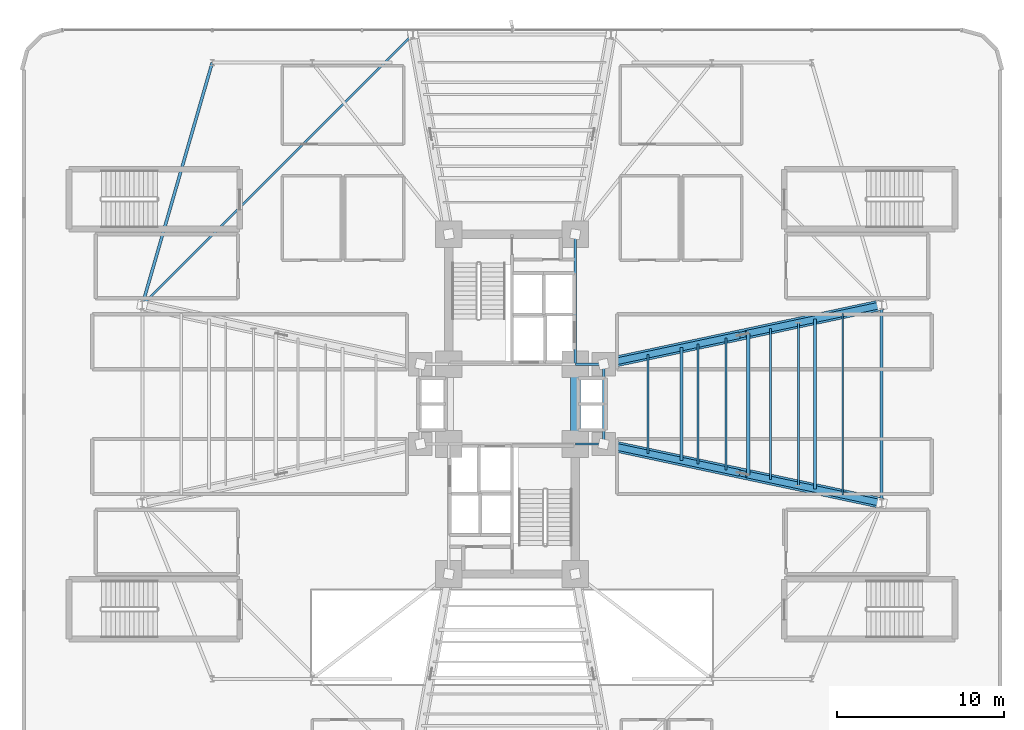
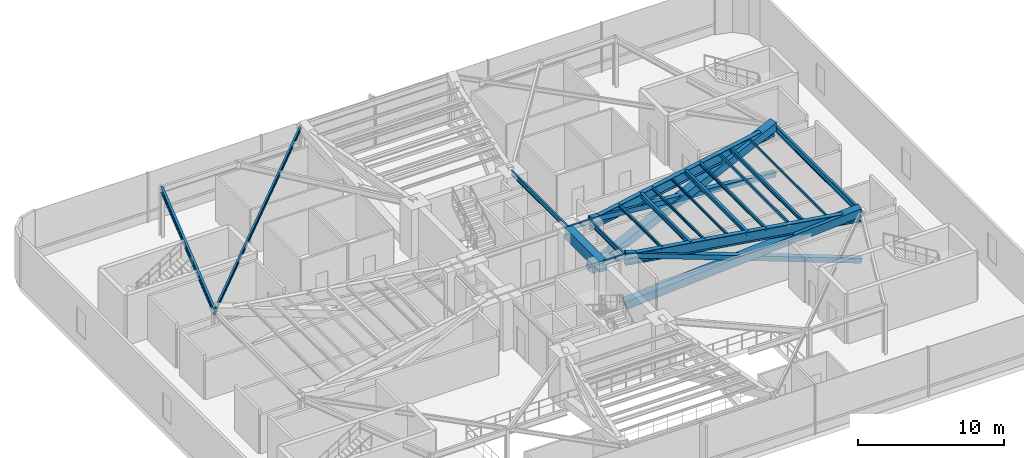
# One storey, part 12 of 32: 19 beams, 6 members.
"""IFC4 building model written with IfcOpenShell, lengths in metres."""

from ifc_helpers import new_model, si_unit, direction, frame, origin, origin_2d, place, context, subcontext, project, spatial, rectangle, hollow_rectangle, i_section, extrude, source, transform, mapped, material, material_profile, profile_set, type_object, element, save


model = new_model("IFC4")

# Units and contexts
model_context = context("Model", 3, precision=1e-05, world=origin(), true_north=direction((0.0, 1.0)))
body_context = subcontext(model_context, "Body", "Model", "MODEL_VIEW")
ifc_project = project(units=[si_unit("LENGTHUNIT", "METRE"), si_unit("AREAUNIT", "SQUARE_METRE"), si_unit("VOLUMEUNIT", "CUBIC_METRE"), si_unit("PLANEANGLEUNIT", "RADIAN"), si_unit("MASSUNIT", "GRAM", prefix="KILO")], contexts=[model_context])

# Site, building, storey
site_placement = place(None, origin())
site = spatial("IfcSite", under=ifc_project, at=site_placement, CompositionType="ELEMENT")
building_placement = place(site_placement, origin())
building = spatial("IfcBuilding", under=site, at=building_placement, Name="Sahyath Konkavel Grand Hotel", CompositionType="ELEMENT")
storey_placement = place(building_placement, frame((0.0, 0.0, 14.10009765625)))
storey = spatial("IfcBuildingStorey", under=building, at=storey_placement, Name="L03", CompositionType="ELEMENT", Elevation=14.10009765625)

# Beams
ifc_material_1 = material(Name="Concrete C70/85", Category="concrete")
ifc_material_profile_1 = material_profile(ifc_material_1, rectangle(XDim=0.60009765625, YDim=0.89990234375, at=origin_2d()), Name="RC 600x900")
ifc_profile_set_1 = profile_set([ifc_material_profile_1], Name="Concrete C70/85")
beam_type_1 = type_object("IfcBeamType", Name="BM-CB600x900", PredefinedType="LINTEL", material=ifc_profile_set_1)
shared_shape_1 = source(origin(), body_context, "Body", "SweptSolid", [
    extrude(rectangle(XDim=0.60009765625, YDim=0.89990234375, at=origin_2d()), origin(), (0.0, 0.0, 1.0), 4.7998046875),
])
beam_1_placement = place(storey_placement, frame((3.800048828125, -2.39990234375, 3.72998046875), z_axis=(0.0, 1.0, 0.0), x_axis=(-1.0, 0.0, 0.0)))
element("IfcBeam", 1, at=beam_1_placement, inside=storey, type_object=beam_type_1, Name="L03 Split-Core Coupling Beam East", PredefinedType="LINTEL", context=body_context, shape_type="MappedRepresentation", body=[
    mapped(shared_shape_1, transform((0.0, 0.0, 0.0), scale=1.0)),
])
ifc_material_2 = material(Name="Steel E350", Category="steel")
ifc_material_profile_2 = material_profile(ifc_material_2, i_section(OverallWidth=0.139892578125, OverallDepth=0.39990234375, WebThickness=0.0087890625, FlangeThickness=0.01611328125, FilletRadius=0.013916015625, at=origin_2d()), Name="ISMB 400")
ifc_profile_set_2 = profile_set([ifc_material_profile_2], Name="Steel E350")
beam_type_2 = type_object("IfcBeamType", Name="BM-ISMB400", PredefinedType="BEAM", material=ifc_profile_set_2)
shared_shape_2 = source(origin(), body_context, "Body", "SweptSolid", [
    extrude(i_section(OverallWidth=0.139892578125, OverallDepth=0.39990234375, WebThickness=0.0087890625, FlangeThickness=0.01611328125, FilletRadius=0.013916015625, at=origin_2d()), origin(), (0.0, 0.0, 1.0), 7.800048828125),
])
beam_2_placement = place(storey_placement, frame((3.800048828125, 2.39990234375, 3.97998046875), z_axis=(0.0, 1.0, 0.0), x_axis=(-1.0, 0.0, 0.0)))
element("IfcBeam", 2, at=beam_2_placement, inside=storey, type_object=beam_type_2, Name="str:bm:L03:NC-E", PredefinedType="BEAM", context=body_context, shape_type="MappedRepresentation", body=[
    mapped(shared_shape_2, transform((0.0, 0.0, 0.0), scale=1.0)),
])
shared_shape_3 = source(origin(), body_context, "Body", "SweptSolid", [
    extrude(i_section(OverallWidth=0.139892578125, OverallDepth=0.39990234375, WebThickness=0.0087890625, FlangeThickness=0.01611328125, FilletRadius=0.013916015625, at=origin_2d()), origin(), (0.0, 0.0, 1.0), 1.699951171875),
])
for number, where, z_axis, x_axis, name in (
    (3, (3.800048828125, 2.39990234375, 3.97998046875), (1.0, 0.0, 0.0), (0.0, 1.0, 0.0), "str:bm:L03:HB-NE"),
    (4, (3.800048828125, -2.39990234375, 3.97998046875), (1.0, 0.0, 0.0), (0.0, 1.0, 0.0), "str:bm:L03:HB-SE"),
):
    element("IfcBeam", number, at=place(storey_placement, frame(where, z_axis=z_axis, x_axis=x_axis)), inside=storey, type_object=beam_type_2, Name=name, PredefinedType="BEAM", context=body_context, shape_type="MappedRepresentation", body=[
        mapped(shared_shape_3, transform((0.0, 0.0, 0.0), scale=1.0)),
    ])
shared_shape_4 = source(origin(), body_context, "Body", "SweptSolid", [
    extrude(i_section(OverallWidth=0.139892578125, OverallDepth=0.39990234375, WebThickness=0.0087890625, FlangeThickness=0.01611328125, FilletRadius=0.013916015625, at=origin_2d()), origin(), (0.0, 0.0, 1.0), 4.7998046875),
])
beam_3_placement = place(storey_placement, frame((5.5, -2.39990234375, 3.97998046875), z_axis=(0.0, 1.0, 0.0), x_axis=(-1.0, 0.0, 0.0)))
element("IfcBeam", 5, at=beam_3_placement, inside=storey, type_object=beam_type_2, Name="str:bm:L03:HB-E", PredefinedType="BEAM", context=body_context, shape_type="MappedRepresentation", body=[
    mapped(shared_shape_4, transform((0.0, 0.0, 0.0), scale=1.0)),
])
ifc_material_profile_3 = material_profile(ifc_material_2, i_section(OverallWidth=0.179931640625, OverallDepth=0.5, WebThickness=0.01025390625, FlangeThickness=0.01708984375, FilletRadius=0.01708984375, at=origin_2d()), Name="ISMB 500")
ifc_profile_set_3 = profile_set([ifc_material_profile_3], Name="Steel E350")
beam_type_3 = type_object("IfcBeamType", Name="BM-ISMB500", PredefinedType="BEAM", material=ifc_profile_set_3)
shared_shape_5 = source(origin(), body_context, "Body", "SweptSolid", [
    extrude(i_section(OverallWidth=0.179931640625, OverallDepth=0.5, WebThickness=0.01025390625, FlangeThickness=0.01708984375, FilletRadius=0.01708984375, at=origin_2d()), origin(), (0.0, 0.0, 1.0), 15.14404296875),
])
beam_4_placement = place(storey_placement, frame((-18.0, 20.5, 3.929931640625), z_axis=(-0.277332657483, -0.960773957335, 0.0), x_axis=(0.960773957335, -0.277332657483, 0.0)))
element("IfcBeam", 6, at=beam_4_placement, inside=storey, type_object=beam_type_3, Name="str:bm:L03:POD34-09", PredefinedType="BEAM", context=body_context, shape_type="MappedRepresentation", body=[
    mapped(shared_shape_5, transform((0.0, 0.0, 0.0), scale=1.0)),
])
ifc_material_3 = material(Name="Steel E450", Category="steel")
ifc_material_profile_4 = material_profile(ifc_material_3, i_section(OverallWidth=0.35009765625, OverallDepth=0.89990234375, WebThickness=0.01806640625, FlangeThickness=0.031982421875, at=origin_2d()), Name="BPG 900x350")
ifc_profile_set_4 = profile_set([ifc_material_profile_4], Name="Steel E450")
beam_type_4 = type_object("IfcBeamType", Name="BM-BPG900", PredefinedType="BEAM", material=ifc_profile_set_4)
shared_shape_6 = source(origin(), body_context, "Body", "SweptSolid", [
    extrude(i_section(OverallWidth=0.35009765625, OverallDepth=0.89990234375, WebThickness=0.01806640625, FlangeThickness=0.031982421875, at=origin_2d()), origin(), (0.0, 0.0, 1.0), 17.072998046875),
])
for number, where, z_axis, x_axis, name in (
    (7, (5.5, -2.39990234375, 3.72998046875), (0.978143257225, -0.20793212437, 0.0), (0.20793212437, 0.978143257225, 0.0), "L03 Cruciform Radial Girder EA"),
    (8, (5.5, 2.39990234375, 3.72998046875), (0.978143257225, 0.20793212437, 0.0), (-0.20793212437, 0.978143257225, 0.0), "L03 Cruciform Radial Girder EB"),
):
    element("IfcBeam", number, at=place(storey_placement, frame(where, z_axis=z_axis, x_axis=x_axis)), inside=storey, type_object=beam_type_4, Name=name, PredefinedType="BEAM", context=body_context, shape_type="MappedRepresentation", body=[
        mapped(shared_shape_6, transform((0.0, 0.0, 0.0), scale=1.0)),
    ])
shared_shape_7 = source(origin(), body_context, "Body", "SweptSolid", [
    extrude(i_section(OverallWidth=0.179931640625, OverallDepth=0.5, WebThickness=0.01025390625, FlangeThickness=0.01708984375, FilletRadius=0.01708984375, at=origin_2d()), origin(), (0.0, 0.0, 1.0), 11.89990234375),
])
beam_5_placement = place(storey_placement, frame((22.199951171875, -5.949951171875, 3.929931640625), z_axis=(0.0, 1.0, 0.0), x_axis=(-1.0, 0.0, 0.0)))
element("IfcBeam", 9, at=beam_5_placement, inside=storey, type_object=beam_type_3, Name="L03 Wing Tip Edge Beam E", PredefinedType="BEAM", context=body_context, shape_type="MappedRepresentation", body=[
    mapped(shared_shape_7, transform((0.0, 0.0, 0.0), scale=1.0)),
])
ifc_material_profile_5 = material_profile(ifc_material_2, i_section(OverallWidth=0.139892578125, OverallDepth=0.35009765625, WebThickness=0.008056640625, FlangeThickness=0.01416015625, FilletRadius=0.013916015625, at=origin_2d()), Name="ISMB 350")
ifc_profile_set_5 = profile_set([ifc_material_profile_5], Name="Steel E350")
beam_type_5 = type_object("IfcBeamType", Name="BM-ISMB350", PredefinedType="BEAM", material=ifc_profile_set_5)
shared_shape_8 = source(origin(), body_context, "Body", "SweptSolid", [
    extrude(i_section(OverallWidth=0.139892578125, OverallDepth=0.35009765625, WebThickness=0.008056640625, FlangeThickness=0.01416015625, FilletRadius=0.013916015625, at=origin_2d()), origin(), (0.0, 0.0, 1.0), 22.98095703125),
])
beam_6_placement = place(storey_placement, frame((-5.949951171875, 22.199951171875, 4.0048828125), z_axis=(-0.707106781187, -0.707106781187, 0.0), x_axis=(0.707106781187, -0.707106781187, 0.0)))
element("IfcBeam", 10, at=beam_6_placement, inside=storey, type_object=beam_type_5, Name="L03 Re-Entrant Tie Beam NW", PredefinedType="BEAM", context=body_context, shape_type="MappedRepresentation", body=[
    mapped(shared_shape_8, transform((0.0, 0.0, 0.0), scale=1.0)),
])
ifc_material_profile_6 = material_profile(ifc_material_2, i_section(OverallWidth=0.199951171875, OverallDepth=0.39990234375, WebThickness=0.008544921875, FlangeThickness=0.012939453125, FilletRadius=0.014892578125, at=origin_2d()), Name="ISWB 400")
ifc_profile_set_6 = profile_set([ifc_material_profile_6], Name="Steel E350")
beam_type_6 = type_object("IfcBeamType", Name="BM-ISWB400", PredefinedType="BEAM", material=ifc_profile_set_6)
shared_shape_9 = source(origin(), body_context, "Body", "SweptSolid", [
    extrude(i_section(OverallWidth=0.199951171875, OverallDepth=0.39990234375, WebThickness=0.008544921875, FlangeThickness=0.012939453125, FilletRadius=0.014892578125, at=origin_2d()), origin(), (0.0, 0.0, 1.0), 6.7880859375),
])
beam_7_placement = place(storey_placement, frame((10.176025390625, -3.39404296875, 3.97998046875), z_axis=(0.0, 1.0, 0.0), x_axis=(-1.0, 0.0, 0.0)))
element("IfcBeam", 11, at=beam_7_placement, inside=storey, type_object=beam_type_6, Name="L03 Secondary Floor Beam E-1", PredefinedType="BEAM", context=body_context, shape_type="MappedRepresentation", body=[
    mapped(shared_shape_9, transform((0.0, 0.0, 0.0), scale=1.0)),
])
ifc_material_profile_7 = material_profile(ifc_material_2, i_section(OverallWidth=0.199951171875, OverallDepth=0.35009765625, WebThickness=0.008056640625, FlangeThickness=0.011474609375, FilletRadius=0.013916015625, at=origin_2d()), Name="ISWB 350")
ifc_profile_set_7 = profile_set([ifc_material_profile_7], Name="Steel E350")
beam_type_7 = type_object("IfcBeamType", Name="BM-ISWB350", PredefinedType="BEAM", material=ifc_profile_set_7)
shared_shape_10 = source(origin(), body_context, "Body", "SweptSolid", [
    extrude(i_section(OverallWidth=0.199951171875, OverallDepth=0.35009765625, WebThickness=0.008056640625, FlangeThickness=0.011474609375, FilletRadius=0.013916015625, at=origin_2d()), origin(), (0.0, 0.0, 1.0), 8.4921875),
])
beam_8_placement = place(storey_placement, frame((14.18408203125, -4.24609375, 4.0048828125), z_axis=(0.0, 1.0, 0.0), x_axis=(-1.0, 0.0, 0.0)))
element("IfcBeam", 12, at=beam_8_placement, inside=storey, type_object=beam_type_7, Name="L03 Secondary Floor Beam E-2", PredefinedType="BEAM", context=body_context, shape_type="MappedRepresentation", body=[
    mapped(shared_shape_10, transform((0.0, 0.0, 0.0), scale=1.0)),
])
ifc_material_profile_8 = material_profile(ifc_material_2, i_section(OverallWidth=0.1650390625, OverallDepth=0.324951171875, WebThickness=0.007080078125, FlangeThickness=0.009765625, FilletRadius=0.014892578125, at=origin_2d()), Name="ISLB 325")
ifc_profile_set_8 = profile_set([ifc_material_profile_8], Name="Steel E350")
beam_type_8 = type_object("IfcBeamType", Name="BM-ISLB325", PredefinedType="BEAM", material=ifc_profile_set_8)
shared_shape_11 = source(origin(), body_context, "Body", "SweptSolid", [
    extrude(i_section(OverallWidth=0.1650390625, OverallDepth=0.324951171875, WebThickness=0.007080078125, FlangeThickness=0.009765625, FilletRadius=0.014892578125, at=origin_2d()), origin(), (0.0, 0.0, 1.0), 10.19580078125),
])
beam_9_placement = place(storey_placement, frame((18.19189453125, -5.097900390625, 4.017333984375), z_axis=(0.0, 1.0, 0.0), x_axis=(-1.0, 0.0, 0.0)))
element("IfcBeam", 13, at=beam_9_placement, inside=storey, type_object=beam_type_8, Name="L03 Secondary Floor Beam E-3", PredefinedType="BEAM", context=body_context, shape_type="MappedRepresentation", body=[
    mapped(shared_shape_11, transform((0.0, 0.0, 0.0), scale=1.0)),
])

# Members
ifc_material_profile_9 = material_profile(ifc_material_3, hollow_rectangle(XDim=0.64990234375, YDim=0.64990234375, WallThickness=0.031982421875, at=origin_2d()), Name="BOX 650x650x32")
ifc_profile_set_9 = profile_set([ifc_material_profile_9], Name="Steel E450")
member_type_1 = type_object("IfcMemberType", Name="BR-BOX650", PredefinedType="BRACE", material=ifc_profile_set_9)
shared_shape_12 = source(origin(), body_context, "Body", "SweptSolid", [
    extrude(hollow_rectangle(XDim=0.64990234375, YDim=0.64990234375, WallThickness=0.031982421875, at=origin_2d()), origin(), (0.0, 0.0, 1.0), 17.572509765625),
])
for number, where, z_axis, x_axis, name in (
    (14, (5.5, -2.39990234375, 0.010009765625), (0.95034065569, -0.20202189194, 0.236727255125), (0.20793212437, 0.978143257225, 0.0), "L03 Ballroom Steel Transfer Truss EA Continuous Diagonal 1"),
    (15, (5.5, 2.39990234375, 0.010009765625), (0.95034065569, 0.20202189194, 0.236727255125), (-0.20793212437, 0.978143257225, 0.0), "L03 Ballroom Steel Transfer Truss EB Continuous Diagonal 1"),
):
    element("IfcMember", number, at=place(storey_placement, frame(where, z_axis=z_axis, x_axis=x_axis)), inside=storey, type_object=member_type_1, Name=name, PredefinedType="BRACE", context=body_context, shape_type="MappedRepresentation", body=[
        mapped(shared_shape_12, transform((0.0, 0.0, 0.0), scale=1.0)),
    ])
ifc_material_profile_10 = material_profile(ifc_material_3, hollow_rectangle(XDim=0.39990234375, YDim=0.39990234375, WallThickness=0.02001953125, at=origin_2d()), Name="SHS 400x400x20")
ifc_profile_set_10 = profile_set([ifc_material_profile_10], Name="Steel E450")
member_type_2 = type_object("IfcMemberType", Name="BR-SHS400", PredefinedType="BRACE", material=ifc_profile_set_10)
shared_shape_13 = source(origin(), body_context, "Body", "SweptSolid", [
    extrude(hollow_rectangle(XDim=0.39990234375, YDim=0.39990234375, WallThickness=0.02001953125, at=origin_2d()), origin(), (0.0, 0.0, 1.0), 8.546142578125),
])
for number, where, z_axis, x_axis, name in (
    (16, (22.199951171875, -5.949951171875, 0.010009765625), (-0.950337999796, 0.202025741262, 0.236734632047), (-0.207936470993, -0.978142333217, 0.0), "L03 Ballroom Steel Transfer Truss EA Split Lower Diagonal 2A"),
    (17, (13.621826171875, -4.12646484375, 2.146728515625), (-0.950337999796, 0.202025741262, 0.236734632047), (-0.207936470993, -0.978142333217, 0.0), "L03 Ballroom Steel Transfer Truss EA Split Upper Diagonal 2B"),
    (18, (22.199951171875, 5.949951171875, 0.010009765625), (-0.950337999796, -0.202025741262, 0.236734632047), (0.207936470993, -0.978142333217, 0.0), "L03 Ballroom Steel Transfer Truss EB Split Lower Diagonal 2A"),
    (19, (13.621826171875, 4.12646484375, 2.146728515625), (-0.950337999796, -0.202025741262, 0.236734632047), (0.207936470993, -0.978142333217, 0.0), "L03 Ballroom Steel Transfer Truss EB Split Upper Diagonal 2B"),
):
    element("IfcMember", number, at=place(storey_placement, frame(where, z_axis=z_axis, x_axis=x_axis)), inside=storey, type_object=member_type_2, Name=name, PredefinedType="BRACE", context=body_context, shape_type="MappedRepresentation", body=[
        mapped(shared_shape_13, transform((0.0, 0.0, 0.0), scale=1.0)),
    ])

# Beams
ifc_material_profile_11 = material_profile(ifc_material_2, i_section(OverallWidth=0.125, OverallDepth=0.25, WebThickness=0.0068359375, FlangeThickness=0.012451171875, FilletRadius=0.012939453125, at=origin_2d()), Name="ISMB 250")
ifc_profile_set_11 = profile_set([ifc_material_profile_11], Name="Steel E350")
beam_type_9 = type_object("IfcBeamType", Name="BM-ISMB250", PredefinedType="BEAM", material=ifc_profile_set_11)
shared_shape_14 = source(origin(), body_context, "Body", "SweptSolid", [
    extrude(i_section(OverallWidth=0.125, OverallDepth=0.25, WebThickness=0.0068359375, FlangeThickness=0.012451171875, FilletRadius=0.012939453125, at=origin_2d()), origin(), (0.0, 0.0, 1.0), 5.93603515625),
])
beam_10_placement = place(storey_placement, frame((8.172119140625, -2.968017578125, 4.054931640625), z_axis=(0.0, 1.0, 0.0), x_axis=(-1.0, 0.0, 0.0)))
element("IfcBeam", 20, at=beam_10_placement, inside=storey, type_object=beam_type_9, Name="L03 Composite Deck Sub-Beam E-1", PredefinedType="BEAM", context=body_context, shape_type="MappedRepresentation", body=[
    mapped(shared_shape_14, transform((0.0, 0.0, 0.0), scale=1.0)),
])
ifc_material_profile_12 = material_profile(ifc_material_2, i_section(OverallWidth=0.110107421875, OverallDepth=0.22509765625, WebThickness=0.006591796875, FlangeThickness=0.01171875, FilletRadius=0.011962890625, at=origin_2d()), Name="ISMB 225")
ifc_profile_set_12 = profile_set([ifc_material_profile_12], Name="Steel E350")
beam_type_10 = type_object("IfcBeamType", Name="BM-ISMB225", PredefinedType="BEAM", material=ifc_profile_set_12)
shared_shape_15 = source(origin(), body_context, "Body", "SweptSolid", [
    extrude(i_section(OverallWidth=0.110107421875, OverallDepth=0.22509765625, WebThickness=0.006591796875, FlangeThickness=0.01171875, FilletRadius=0.011962890625, at=origin_2d()), origin(), (0.0, 0.0, 1.0), 7.2138671875),
])
beam_11_placement = place(storey_placement, frame((11.177978515625, -3.60693359375, 4.0673828125), z_axis=(0.0, 1.0, 0.0), x_axis=(-1.0, 0.0, 0.0)))
element("IfcBeam", 21, at=beam_11_placement, inside=storey, type_object=beam_type_10, Name="L03 Composite Deck Sub-Beam E-2", PredefinedType="BEAM", context=body_context, shape_type="MappedRepresentation", body=[
    mapped(shared_shape_15, transform((0.0, 0.0, 0.0), scale=1.0)),
])
ifc_material_profile_13 = material_profile(ifc_material_2, i_section(OverallWidth=0.10009765625, OverallDepth=0.199951171875, WebThickness=0.005615234375, FlangeThickness=0.0107421875, FilletRadius=0.010986328125, at=origin_2d()), Name="ISMB 200")
ifc_profile_set_13 = profile_set([ifc_material_profile_13], Name="Steel E350")
beam_type_11 = type_object("IfcBeamType", Name="BM-ISMB200", PredefinedType="BEAM", material=ifc_profile_set_13)
shared_shape_16 = source(origin(), body_context, "Body", "SweptSolid", [
    extrude(i_section(OverallWidth=0.10009765625, OverallDepth=0.199951171875, WebThickness=0.005615234375, FlangeThickness=0.0107421875, FilletRadius=0.010986328125, at=origin_2d()), origin(), (0.0, 0.0, 1.0), 7.923828125),
])
beam_12_placement = place(storey_placement, frame((12.847900390625, -3.9619140625, 4.079833984375), z_axis=(0.0, 1.0, 0.0), x_axis=(-1.0, 0.0, 0.0)))
element("IfcBeam", 22, at=beam_12_placement, inside=storey, type_object=beam_type_11, Name="L03 Composite Deck Sub-Beam E-3", PredefinedType="BEAM", context=body_context, shape_type="MappedRepresentation", body=[
    mapped(shared_shape_16, transform((0.0, 0.0, 0.0), scale=1.0)),
])
ifc_material_profile_14 = material_profile(ifc_material_2, i_section(OverallWidth=0.139892578125, OverallDepth=0.27490234375, WebThickness=0.00634765625, FlangeThickness=0.0087890625, FilletRadius=0.012939453125, at=origin_2d()), Name="ISLB 275")
ifc_profile_set_14 = profile_set([ifc_material_profile_14], Name="Steel E350")
beam_type_12 = type_object("IfcBeamType", Name="BM-ISLB275", PredefinedType="BEAM", material=ifc_profile_set_14)
shared_shape_17 = source(origin(), body_context, "Body", "SweptSolid", [
    extrude(i_section(OverallWidth=0.139892578125, OverallDepth=0.27490234375, WebThickness=0.00634765625, FlangeThickness=0.0087890625, FilletRadius=0.012939453125, at=origin_2d()), origin(), (0.0, 0.0, 1.0), 9.06005859375),
])
beam_13_placement = place(storey_placement, frame((15.52001953125, -4.530029296875, 4.04248046875), z_axis=(0.0, 1.0, 0.0), x_axis=(-1.0, 0.0, 0.0)))
element("IfcBeam", 23, at=beam_13_placement, inside=storey, type_object=beam_type_12, Name="L03 Composite Deck Sub-Beam E-4", PredefinedType="BEAM", context=body_context, shape_type="MappedRepresentation", body=[
    mapped(shared_shape_17, transform((0.0, 0.0, 0.0), scale=1.0)),
])
ifc_material_profile_15 = material_profile(ifc_material_2, hollow_rectangle(XDim=0.1201171875, YDim=0.219970703125, WallThickness=0.010009765625, at=origin_2d()), Name="RHS 220x120x10")
ifc_profile_set_15 = profile_set([ifc_material_profile_15], Name="Steel E350")
beam_type_13 = type_object("IfcBeamType", Name="BM-RHS220", PredefinedType="BEAM", material=ifc_profile_set_15)
shared_shape_18 = source(origin(), body_context, "Body", "SweptSolid", [
    extrude(hollow_rectangle(XDim=0.1201171875, YDim=0.219970703125, WallThickness=0.010009765625, at=origin_2d()), origin(), (0.0, 0.0, 1.0), 9.77001953125),
])
beam_14_placement = place(storey_placement, frame((17.18994140625, -4.885009765625, 4.06982421875), z_axis=(0.0, 1.0, 0.0), x_axis=(-1.0, 0.0, 0.0)))
element("IfcBeam", 24, at=beam_14_placement, inside=storey, type_object=beam_type_13, Name="L03 Composite Deck Sub-Beam E-5", PredefinedType="BEAM", context=body_context, shape_type="MappedRepresentation", body=[
    mapped(shared_shape_18, transform((0.0, 0.0, 0.0), scale=1.0)),
])
ifc_material_profile_16 = material_profile(ifc_material_2, hollow_rectangle(XDim=0.090087890625, YDim=0.179931640625, WallThickness=0.008056640625, at=origin_2d()), Name="RHS 180x90x8")
ifc_profile_set_16 = profile_set([ifc_material_profile_16], Name="Steel E350")
beam_type_14 = type_object("IfcBeamType", Name="BM-RHS180", PredefinedType="BEAM", material=ifc_profile_set_16)
shared_shape_19 = source(origin(), body_context, "Body", "SweptSolid", [
    extrude(hollow_rectangle(XDim=0.090087890625, YDim=0.179931640625, WallThickness=0.008056640625, at=origin_2d()), origin(), (0.0, 0.0, 1.0), 10.90576171875),
])
beam_15_placement = place(storey_placement, frame((19.862060546875, -5.452880859375, 4.08984375), z_axis=(0.0, 1.0, 0.0), x_axis=(-1.0, 0.0, 0.0)))
element("IfcBeam", 25, at=beam_15_placement, inside=storey, type_object=beam_type_14, Name="L03 Composite Deck Sub-Beam E-6", PredefinedType="BEAM", context=body_context, shape_type="MappedRepresentation", body=[
    mapped(shared_shape_19, transform((0.0, 0.0, 0.0), scale=1.0)),
])

save(model, "model.ifc")
